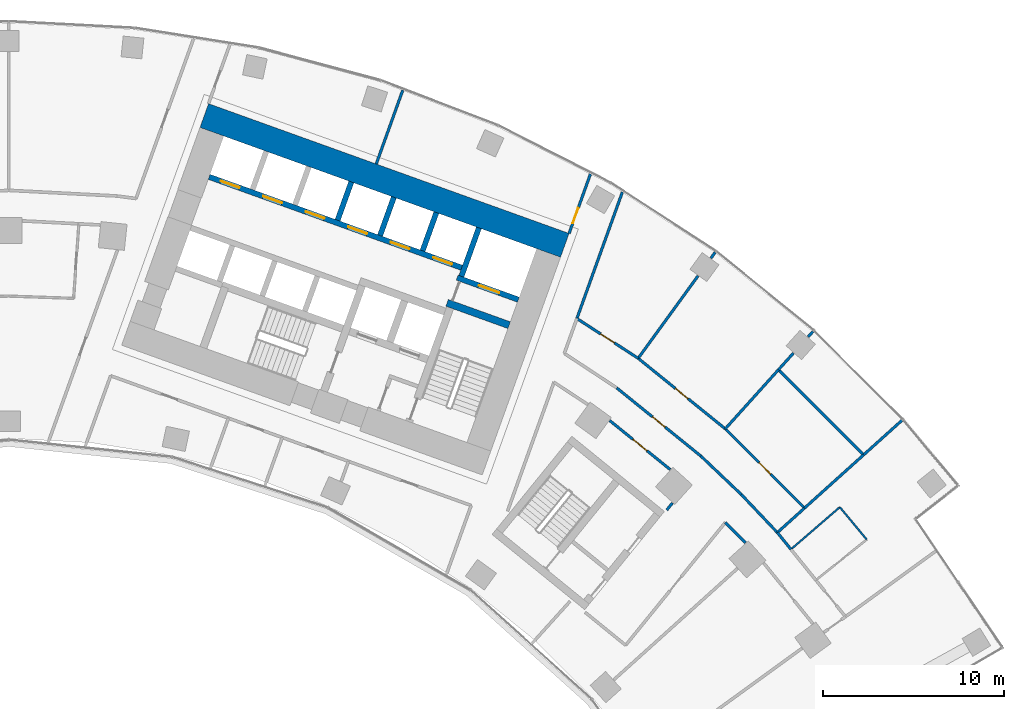
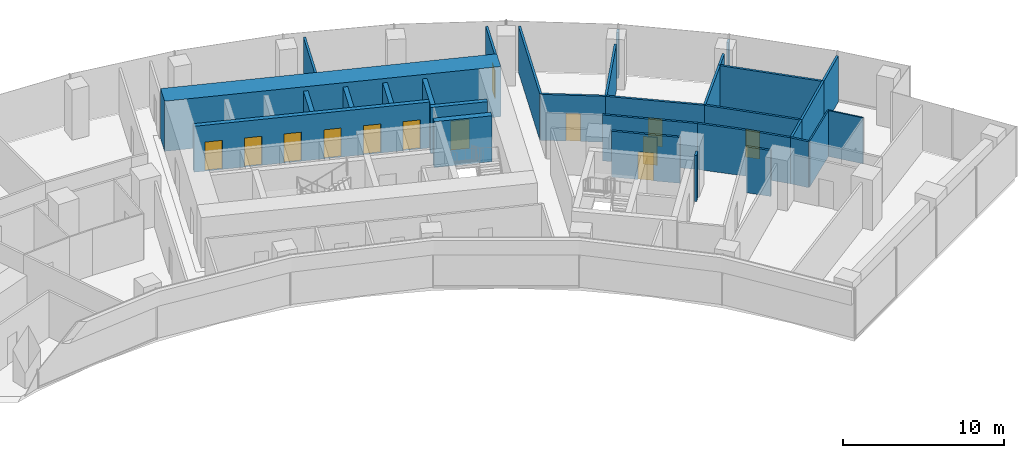
# One storey, part 17 of 20: 32 walls, 13 doors, 13 openings.
"""IFC4 building model written with IfcOpenShell, lengths in metres."""

from ifc_helpers import new_model, si_unit, direction, frame, frame_2d, origin, place, context, subcontext, project, spatial, rectangle, extrude, material, layer, layer_set, type_object, element, fill, save


model = new_model("IFC4")

# Units and contexts
model_context = context("Model", 3, precision=1e-05, world=origin(), true_north=direction((0.0, 1.0)))
body_context = subcontext(model_context, "Body", "Model", "MODEL_VIEW")
ifc_project = project(units=[si_unit("LENGTHUNIT", "METRE"), si_unit("AREAUNIT", "SQUARE_METRE"), si_unit("VOLUMEUNIT", "CUBIC_METRE"), si_unit("PLANEANGLEUNIT", "RADIAN"), si_unit("MASSUNIT", "GRAM", prefix="KILO")], contexts=[model_context])

# Site, building, storey
site_placement = place(None, origin())
site = spatial("IfcSite", under=ifc_project, at=site_placement, CompositionType="ELEMENT")
building_placement = place(site_placement, origin())
building = spatial("IfcBuilding", under=site, at=building_placement, Name="Stone Belt Terrace Tower", CompositionType="ELEMENT")
storey_placement = place(building_placement, frame((0.0, 0.0, 125.0)))
storey = spatial("IfcBuildingStorey", under=building, at=storey_placement, Name="L30", CompositionType="ELEMENT", Elevation=125.0)

# Wall
ifc_material_1 = material(Name="Concrete B80", Category="concrete")
ifc_layer_1 = layer(ifc_material_1, 1.39990234375)
ifc_layer_set_1 = layer_set([ifc_layer_1], Name="Core wall 1400 B80")
wall_type_1 = type_object("IfcWallType", Name="Core wall 1400 B80", PredefinedType="SHEAR", material=ifc_layer_set_1)
wall_1_placement = place(storey_placement, frame((10.81787109375, 61.362060546875, 0.0), z_axis=(0.0, 0.0, 1.0), x_axis=(0.940919704758, -0.338629752382, 0.0)))
element("IfcWall", 1, at=wall_1_placement, inside=storey, type_object=wall_type_1, Name="Core B wall convex L30", PredefinedType="SHEAR", context=body_context, shape_type="SweptSolid", body=[
    extrude(rectangle(XDim=21.199951171875, YDim=1.39990234375, at=frame_2d((10.60009765625, 0.0))), origin(), (0.0, 0.0, 1.0), 3.800048828125),
])

# Wall, opening, door
ifc_layer_2 = layer(ifc_material_1, 0.300048828125)
ifc_layer_set_2 = layer_set([ifc_layer_2], Name="Lift shaft wall 300")
wall_type_2 = type_object("IfcWallType", Name="Lift shaft wall 300", PredefinedType="SHEAR", material=ifc_layer_set_2)
wall_2_placement = place(storey_placement, frame((28.195068359375, 51.17578125, 0.0), z_axis=(0.0, 0.0, 1.0), x_axis=(-0.940901243567, 0.338681044427, 0.0)))
wall_2 = element("IfcWall", 2, at=wall_2_placement, inside=storey, type_object=wall_type_2, Name="Core B wall", PredefinedType="SHEAR", context=body_context, shape_type="SweptSolid", body=[
    extrude(rectangle(XDim=3.599853515625, YDim=0.300048828125, at=frame_2d((1.7998046875, 0.0))), origin(), (0.0, 0.0, 1.0), 3.47998046875),
])
opening_1_placement = place(wall_2_placement, frame((1.1201171875, 0.0, 0.0)))
opening_1 = element("IfcOpeningElement", 3, at=opening_1_placement, cuts=wall_2, Name="Opening L30-LD18", PredefinedType="OPENING", context=body_context, shape_type="SweptSolid", body=[
    extrude(rectangle(XDim=1.199951171875, YDim=2.199951171875, at=frame_2d((0.60009765625, 1.10009765625))), frame((0.0, 0.159912109375, 0.0), z_axis=(0.0, -1.0, 0.0), x_axis=(1.0, 0.0, 0.0)), (0.0, 0.0, 1.0), 0.320068359375),
])
ifc_material_2 = material(Name="Stainless steel door leaf", Category="steel")
door_type_1 = type_object("IfcDoorType", Name="Landing door 1200", OperationType="SLIDING_TO_LEFT", PredefinedType="DOOR", material=ifc_material_2)
door_1_placement = place(opening_1_placement, origin())
door_1 = element("IfcDoor", 4, at=door_1_placement, inside=storey, type_object=door_type_1, Name="Landing door SV1 core B", OperationType="SLIDING_TO_LEFT", OverallHeight=2.199951171875, OverallWidth=1.199951171875, PredefinedType="DOOR", context=body_context, shape_type="SweptSolid", body=[
    extrude(rectangle(XDim=1.199951171875, YDim=2.199951171875, at=frame_2d((0.60009765625, 1.10009765625))), frame((0.0, 0.02490234375, 0.0), z_axis=(0.0, -1.0, 0.0), x_axis=(1.0, 0.0, 0.0)), (0.0, 0.0, 1.0), 0.050048828125),
])
fill(opening_1, door_1)

# Wall
wall_3_placement = place(storey_placement, frame((25.046875, 52.46826171875, 0.0), z_axis=(0.0, 0.0, 1.0), x_axis=(0.338549588058, 0.940948551423, 0.0)))
element("IfcWall", 5, at=wall_3_placement, inside=storey, type_object=wall_type_2, Name="Core B wall", PredefinedType="SHEAR", context=body_context, shape_type="SweptSolid", body=[
    extrude(rectangle(XDim=2.849853515625, YDim=0.300048828125, at=frame_2d((1.4248046875, 0.0))), origin(), (0.0, 0.0, 1.0), 3.47998046875),
])

# Wall, openings, doors
wall_4_placement = place(storey_placement, frame((25.05810546875, 52.9423828125, 0.0), z_axis=(0.0, 0.0, 1.0), x_axis=(-0.940918215764, 0.338633889685, 0.0)))
wall_4 = element("IfcWall", 6, at=wall_4_placement, inside=storey, type_object=wall_type_2, Name="Core B wall", PredefinedType="SHEAR", context=body_context, shape_type="SweptSolid", body=[
    extrude(rectangle(XDim=14.850341796875, YDim=0.300048828125, at=frame_2d((7.42529296875, 0.0))), origin(), (0.0, 0.0, 1.0), 3.47998046875),
])
opening_2_placement = place(wall_4_placement, frame((0.570068359375, 0.0, 0.0)))
opening_2 = element("IfcOpeningElement", 7, at=opening_2_placement, cuts=wall_4, Name="Opening L30-LD10", PredefinedType="OPENING", context=body_context, shape_type="SweptSolid", body=[
    extrude(rectangle(XDim=1.10009765625, YDim=2.199951171875, at=frame_2d((0.550048828125, 1.10009765625))), frame((0.0, 0.159912109375, 0.0), z_axis=(0.0, -1.0, 0.0), x_axis=(1.0, 0.0, 0.0)), (0.0, 0.0, 1.0), 0.320068359375),
])
opening_3_placement = place(wall_4_placement, frame((3.070068359375, 0.0, 0.0)))
opening_3 = element("IfcOpeningElement", 8, at=opening_3_placement, cuts=wall_4, Name="Opening L30-LD11", PredefinedType="OPENING", context=body_context, shape_type="SweptSolid", body=[
    extrude(rectangle(XDim=1.10009765625, YDim=2.199951171875, at=frame_2d((0.550048828125, 1.10009765625))), frame((0.0, 0.159912109375, 0.0), z_axis=(0.0, -1.0, 0.0), x_axis=(1.0, 0.0, 0.0)), (0.0, 0.0, 1.0), 0.320068359375),
])
opening_4_placement = place(wall_4_placement, frame((5.570068359375, 0.0, 0.0)))
opening_4 = element("IfcOpeningElement", 9, at=opening_4_placement, cuts=wall_4, Name="Opening L30-LD12", PredefinedType="OPENING", context=body_context, shape_type="SweptSolid", body=[
    extrude(rectangle(XDim=1.10009765625, YDim=2.199951171875, at=frame_2d((0.550048828125, 1.10009765625))), frame((0.0, 0.159912109375, 0.0), z_axis=(0.0, -1.0, 0.0), x_axis=(1.0, 0.0, 0.0)), (0.0, 0.0, 1.0), 0.320068359375),
])
opening_5_placement = place(wall_4_placement, frame((8.070068359375, 0.0, 0.0)))
opening_5 = element("IfcOpeningElement", 10, at=opening_5_placement, cuts=wall_4, Name="Opening L30-LD13", PredefinedType="OPENING", context=body_context, shape_type="SweptSolid", body=[
    extrude(rectangle(XDim=1.10009765625, YDim=2.199951171875, at=frame_2d((0.550048828125, 1.10009765625))), frame((0.0, 0.159912109375, 0.0), z_axis=(0.0, -1.0, 0.0), x_axis=(1.0, 0.0, 0.0)), (0.0, 0.0, 1.0), 0.320068359375),
])
opening_6_placement = place(wall_4_placement, frame((10.570068359375, 0.0, 0.0)))
opening_6 = element("IfcOpeningElement", 11, at=opening_6_placement, cuts=wall_4, Name="Opening L30-LD14", PredefinedType="OPENING", context=body_context, shape_type="SweptSolid", body=[
    extrude(rectangle(XDim=1.10009765625, YDim=2.199951171875, at=frame_2d((0.550048828125, 1.10009765625))), frame((0.0, 0.159912109375, 0.0), z_axis=(0.0, -1.0, 0.0), x_axis=(1.0, 0.0, 0.0)), (0.0, 0.0, 1.0), 0.320068359375),
])
opening_7_placement = place(wall_4_placement, frame((13.070068359375, 0.0, 0.0)))
opening_7 = element("IfcOpeningElement", 12, at=opening_7_placement, cuts=wall_4, Name="Opening L30-LD15", PredefinedType="OPENING", context=body_context, shape_type="SweptSolid", body=[
    extrude(rectangle(XDim=1.10009765625, YDim=2.199951171875, at=frame_2d((0.550048828125, 1.10009765625))), frame((0.0, 0.159912109375, 0.0), z_axis=(0.0, -1.0, 0.0), x_axis=(1.0, 0.0, 0.0)), (0.0, 0.0, 1.0), 0.320068359375),
])
door_type_2 = type_object("IfcDoorType", Name="Landing door 1100", OperationType="SLIDING_TO_LEFT", PredefinedType="DOOR", material=ifc_material_2)
door_2_placement = place(opening_2_placement, origin())
door_2 = element("IfcDoor", 13, at=door_2_placement, inside=storey, type_object=door_type_2, Name="Landing door LR1 core B", OperationType="SLIDING_TO_LEFT", OverallHeight=2.199951171875, OverallWidth=1.10009765625, PredefinedType="DOOR", context=body_context, shape_type="SweptSolid", body=[
    extrude(rectangle(XDim=1.10009765625, YDim=2.199951171875, at=frame_2d((0.550048828125, 1.10009765625))), frame((0.0, 0.02490234375, 0.0), z_axis=(0.0, -1.0, 0.0), x_axis=(1.0, 0.0, 0.0)), (0.0, 0.0, 1.0), 0.050048828125),
])
fill(opening_2, door_2)
door_3_placement = place(opening_3_placement, origin())
door_3 = element("IfcDoor", 14, at=door_3_placement, inside=storey, type_object=door_type_2, Name="Landing door LR2 core B", OperationType="SLIDING_TO_LEFT", OverallHeight=2.199951171875, OverallWidth=1.10009765625, PredefinedType="DOOR", context=body_context, shape_type="SweptSolid", body=[
    extrude(rectangle(XDim=1.10009765625, YDim=2.199951171875, at=frame_2d((0.550048828125, 1.10009765625))), frame((0.0, 0.02490234375, 0.0), z_axis=(0.0, -1.0, 0.0), x_axis=(1.0, 0.0, 0.0)), (0.0, 0.0, 1.0), 0.050048828125),
])
fill(opening_3, door_3)
door_4_placement = place(opening_4_placement, origin())
door_4 = element("IfcDoor", 15, at=door_4_placement, inside=storey, type_object=door_type_2, Name="Landing door LR3 core B", OperationType="SLIDING_TO_LEFT", OverallHeight=2.199951171875, OverallWidth=1.10009765625, PredefinedType="DOOR", context=body_context, shape_type="SweptSolid", body=[
    extrude(rectangle(XDim=1.10009765625, YDim=2.199951171875, at=frame_2d((0.550048828125, 1.10009765625))), frame((0.0, 0.02490234375, 0.0), z_axis=(0.0, -1.0, 0.0), x_axis=(1.0, 0.0, 0.0)), (0.0, 0.0, 1.0), 0.050048828125),
])
fill(opening_4, door_4)
door_5_placement = place(opening_5_placement, origin())
door_5 = element("IfcDoor", 16, at=door_5_placement, inside=storey, type_object=door_type_2, Name="Landing door LR4 core B", OperationType="SLIDING_TO_LEFT", OverallHeight=2.199951171875, OverallWidth=1.10009765625, PredefinedType="DOOR", context=body_context, shape_type="SweptSolid", body=[
    extrude(rectangle(XDim=1.10009765625, YDim=2.199951171875, at=frame_2d((0.550048828125, 1.10009765625))), frame((0.0, 0.02490234375, 0.0), z_axis=(0.0, -1.0, 0.0), x_axis=(1.0, 0.0, 0.0)), (0.0, 0.0, 1.0), 0.050048828125),
])
fill(opening_5, door_5)
door_6_placement = place(opening_6_placement, origin())
door_6 = element("IfcDoor", 17, at=door_6_placement, inside=storey, type_object=door_type_2, Name="Landing door LR5 core B", OperationType="SLIDING_TO_LEFT", OverallHeight=2.199951171875, OverallWidth=1.10009765625, PredefinedType="DOOR", context=body_context, shape_type="SweptSolid", body=[
    extrude(rectangle(XDim=1.10009765625, YDim=2.199951171875, at=frame_2d((0.550048828125, 1.10009765625))), frame((0.0, 0.02490234375, 0.0), z_axis=(0.0, -1.0, 0.0), x_axis=(1.0, 0.0, 0.0)), (0.0, 0.0, 1.0), 0.050048828125),
])
fill(opening_6, door_6)
door_7_placement = place(opening_7_placement, origin())
door_7 = element("IfcDoor", 18, at=door_7_placement, inside=storey, type_object=door_type_2, Name="Landing door LR6 core B", OperationType="SLIDING_TO_LEFT", OverallHeight=2.199951171875, OverallWidth=1.10009765625, PredefinedType="DOOR", context=body_context, shape_type="SweptSolid", body=[
    extrude(rectangle(XDim=1.10009765625, YDim=2.199951171875, at=frame_2d((0.550048828125, 1.10009765625))), frame((0.0, 0.02490234375, 0.0), z_axis=(0.0, -1.0, 0.0), x_axis=(1.0, 0.0, 0.0)), (0.0, 0.0, 1.0), 0.050048828125),
])
fill(opening_7, door_7)

# Walls
wall_5_placement = place(storey_placement, frame((22.897705078125, 53.87939453125, 0.0), z_axis=(0.0, 0.0, 1.0), x_axis=(0.338535034312, 0.940953787677, 0.0)))
element("IfcWall", 19, at=wall_5_placement, inside=storey, type_object=wall_type_2, Name="Core B wall", PredefinedType="SHEAR", context=body_context, shape_type="SweptSolid", body=[
    extrude(rectangle(XDim=2.25, YDim=0.300048828125, at=frame_2d((1.125, 0.0))), origin(), (0.0, 0.0, 1.0), 3.47998046875),
])
wall_6_placement = place(storey_placement, frame((20.54541015625, 54.72607421875, 0.0), z_axis=(0.0, 0.0, 1.0), x_axis=(0.338569601369, 0.940941350472, 0.0)))
element("IfcWall", 20, at=wall_6_placement, inside=storey, type_object=wall_type_2, Name="Core B wall", PredefinedType="SHEAR", context=body_context, shape_type="SweptSolid", body=[
    extrude(rectangle(XDim=2.249755859375, YDim=0.300048828125, at=frame_2d((1.125, 0.0))), origin(), (0.0, 0.0, 1.0), 3.47998046875),
])
wall_7_placement = place(storey_placement, frame((18.193115234375, 55.572509765625, 0.0), z_axis=(0.0, 0.0, 1.0), x_axis=(0.338535034312, 0.940953787677, 0.0)))
element("IfcWall", 21, at=wall_7_placement, inside=storey, type_object=wall_type_2, Name="Core B wall", PredefinedType="SHEAR", context=body_context, shape_type="SweptSolid", body=[
    extrude(rectangle(XDim=2.25, YDim=0.300048828125, at=frame_2d((1.125, 0.0))), origin(), (0.0, 0.0, 1.0), 3.47998046875),
])
ifc_material_3 = material(Name="Gypsum board partition")
ifc_layer_3 = layer(ifc_material_3, 0.10009765625)
ifc_layer_set_3 = layer_set([ifc_layer_3], Name="PARTITION 100")
wall_type_3 = type_object("IfcWallType", Name="PARTITION 100", PredefinedType="PARTITIONING", material=ifc_layer_set_3)
wall_8_placement = place(storey_placement, frame((47.469970703125, 37.904052734375, 0.0), z_axis=(0.0, 0.0, 1.0), x_axis=(-0.638843176943, 0.76933698421, 0.0)))
element("IfcWall", 22, at=wall_8_placement, inside=storey, type_object=wall_type_3, Name="L30/wall/i075", PredefinedType="PARTITIONING", context=body_context, shape_type="SweptSolid", body=[
    extrude(rectangle(XDim=2.329345703125, YDim=0.10009765625, at=frame_2d((1.16455078125, 0.0))), origin(), (0.0, 0.0, 1.0), 3.47998046875),
])
wall_9_placement = place(storey_placement, frame((45.98193359375, 39.696044921875, 0.0), z_axis=(0.0, 0.0, 1.0), x_axis=(-0.756984357141, -0.653432998128, 0.0)))
element("IfcWall", 23, at=wall_9_placement, inside=storey, type_object=wall_type_3, Name="L30/wall/i076", PredefinedType="PARTITIONING", context=body_context, shape_type="SweptSolid", body=[
    extrude(rectangle(XDim=3.57177734375, YDim=0.10009765625, at=frame_2d((1.785888671875, 0.0))), origin(), (0.0, 0.0, 1.0), 3.47998046875),
])

# Wall, opening, door
ifc_layer_4 = layer(ifc_material_3, 0.14990234375)
ifc_layer_set_4 = layer_set([ifc_layer_4], Name="PARTITION 150 EI 60")
wall_type_4 = type_object("IfcWallType", Name="PARTITION 150 EI 60", PredefinedType="PARTITIONING", material=ifc_layer_set_4)
wall_10_placement = place(storey_placement, frame((31.001953125, 54.842041015625, 0.0), z_axis=(0.0, 0.0, 1.0), x_axis=(0.338662585219, 0.940907887826, 0.0)))
wall_10 = element("IfcWall", 24, at=wall_10_placement, inside=storey, type_object=wall_type_4, Name="L30/wall/i023", PredefinedType="PARTITIONING", context=body_context, shape_type="SweptSolid", body=[
    extrude(rectangle(XDim=3.49560546875, YDim=0.14990234375, at=frame_2d((1.747802734375, 0.0))), origin(), (0.0, 0.0, 1.0), 3.47998046875),
])
opening_8_placement = place(wall_10_placement, frame((0.599365234375, 0.0, 0.0)))
opening_8 = element("IfcOpeningElement", 25, at=opening_8_placement, cuts=wall_10, Name="Opening D-B5-11", PredefinedType="OPENING", context=body_context, shape_type="SweptSolid", body=[
    extrude(rectangle(XDim=0.89990234375, YDim=2.10009765625, at=frame_2d((0.449951171875, 1.050048828125))), frame((0.0, 0.0849609375, 0.0), z_axis=(0.0, -1.0, 0.0), x_axis=(1.0, 0.0, 0.0)), (0.0, 0.0, 1.0), 0.169921875),
])
ifc_material_4 = material(Name="Timber door leaf", Category="wood")
door_type_3 = type_object("IfcDoorType", Name="OFFICE DOOR 900 X 2100", OperationType="NOTDEFINED", PredefinedType="DOOR", material=ifc_material_4)
door_8_placement = place(opening_8_placement, origin())
door_8 = element("IfcDoor", 26, at=door_8_placement, inside=storey, type_object=door_type_3, Name="L30/door/i11", OperationType="SINGLE_SWING_LEFT", OverallHeight=2.10009765625, OverallWidth=0.89990234375, PredefinedType="DOOR", context=body_context, shape_type="SweptSolid", body=[
    extrude(rectangle(XDim=0.89990234375, YDim=2.10009765625, at=frame_2d((0.449951171875, 1.050048828125))), frame((0.0, 0.02490234375, 0.0), z_axis=(0.0, -1.0, 0.0), x_axis=(1.0, 0.0, 0.0)), (0.0, 0.0, 1.0), 0.050048828125),
])
fill(opening_8, door_8)

# Walls
wall_11_placement = place(storey_placement, frame((33.951904296875, 57.131103515625, 0.0), z_axis=(0.0, 0.0, 1.0), x_axis=(-0.338585885873, -0.940935490822, 0.0)))
element("IfcWall", 27, at=wall_11_placement, inside=storey, type_object=wall_type_4, Name="L30/wall/i027", PredefinedType="PARTITIONING", context=body_context, shape_type="SweptSolid", body=[
    extrude(rectangle(XDim=7.44287109375, YDim=0.14990234375, at=frame_2d((3.721435546875, 0.0))), origin(), (0.0, 0.0, 1.0), 3.47998046875),
])
wall_12_placement = place(storey_placement, frame((21.80078125, 62.76513671875, 0.0), z_axis=(0.0, 0.0, 1.0), x_axis=(-0.338470422653, -0.940977031063, 0.0)))
element("IfcWall", 28, at=wall_12_placement, inside=storey, type_object=wall_type_4, Name="L30/wall/i035", PredefinedType="PARTITIONING", context=body_context, shape_type="SweptSolid", body=[
    extrude(rectangle(XDim=4.33935546875, YDim=0.14990234375, at=frame_2d((2.169677734375, 0.0))), origin(), (0.0, 0.0, 1.0), 3.47998046875),
])

# Wall, opening, door
wall_13_placement = place(storey_placement, frame((36.599365234375, 41.77587890625, 0.0), z_axis=(0.0, 0.0, 1.0), x_axis=(-0.777153738144, 0.62931078752, 0.0)))
wall_13 = element("IfcWall", 29, at=wall_13_placement, inside=storey, type_object=wall_type_4, Name="L30/wall/i047", PredefinedType="PARTITIONING", context=body_context, shape_type="SweptSolid", body=[
    extrude(rectangle(XDim=4.30517578125, YDim=0.14990234375, at=frame_2d((2.152587890625, 0.0))), origin(), (0.0, 0.0, 1.0), 3.47998046875),
])
opening_9_placement = place(wall_13_placement, frame((1.652587890625, 0.0, 0.0)))
opening_9 = element("IfcOpeningElement", 30, at=opening_9_placement, cuts=wall_13, Name="Opening D-B5-17", PredefinedType="OPENING", context=body_context, shape_type="SweptSolid", body=[
    extrude(rectangle(XDim=1.0, YDim=2.10009765625, at=frame_2d((0.5, 1.050048828125))), frame((0.0, 0.0849609375, 0.0), z_axis=(0.0, -1.0, 0.0), x_axis=(1.0, 0.0, 0.0)), (0.0, 0.0, 1.0), 0.169921875),
])
ifc_material_5 = material(Name="Timber fire door leaf", Category="wood")
door_type_4 = type_object("IfcDoorType", Name="TENANCY ENTRANCE DOOR 1000 X 2100", OperationType="NOTDEFINED", PredefinedType="DOOR", material=ifc_material_5)
door_9_placement = place(opening_9_placement, origin())
door_9 = element("IfcDoor", 31, at=door_9_placement, inside=storey, type_object=door_type_4, Name="L30/door/i17", OperationType="SINGLE_SWING_RIGHT", OverallHeight=2.10009765625, OverallWidth=1.0, PredefinedType="DOOR", context=body_context, shape_type="SweptSolid", body=[
    extrude(rectangle(XDim=1.0, YDim=2.10009765625, at=frame_2d((0.5, 1.050048828125))), frame((0.0, 0.02490234375, 0.0), z_axis=(0.0, -1.0, 0.0), x_axis=(1.0, 0.0, 0.0)), (0.0, 0.0, 1.0), 0.050048828125),
])
fill(opening_9, door_9)

wall_14_placement = place(storey_placement, frame((33.635986328125, 46.2958984375, 0.0), z_axis=(0.0, 0.0, 1.0), x_axis=(0.777109127033, -0.629365875054, 0.0)))
wall_14 = element("IfcWall", 32, at=wall_14_placement, inside=storey, type_object=wall_type_4, Name="L30/wall/i050", PredefinedType="PARTITIONING", context=body_context, shape_type="SweptSolid", body=[
    extrude(rectangle(XDim=5.990234375, YDim=0.14990234375, at=frame_2d((2.9951171875, 0.0))), origin(), (0.0, 0.0, 1.0), 3.47998046875),
])
opening_10_placement = place(wall_14_placement, frame((2.545166015625, 0.0, 0.0)))
opening_10 = element("IfcOpeningElement", 33, at=opening_10_placement, cuts=wall_14, Name="Opening D-B5-20", PredefinedType="OPENING", context=body_context, shape_type="SweptSolid", body=[
    extrude(rectangle(XDim=0.89990234375, YDim=2.10009765625, at=frame_2d((0.449951171875, 1.050048828125))), frame((0.0, 0.0849609375, 0.0), z_axis=(0.0, -1.0, 0.0), x_axis=(1.0, 0.0, 0.0)), (0.0, 0.0, 1.0), 0.169921875),
])
door_10_placement = place(opening_10_placement, origin())
door_10 = element("IfcDoor", 34, at=door_10_placement, inside=storey, type_object=door_type_3, Name="L30/door/i20", OperationType="SINGLE_SWING_RIGHT", OverallHeight=2.10009765625, OverallWidth=0.89990234375, PredefinedType="DOOR", context=body_context, shape_type="SweptSolid", body=[
    extrude(rectangle(XDim=0.89990234375, YDim=2.10009765625, at=frame_2d((0.449951171875, 1.050048828125))), frame((0.0, 0.02490234375, 0.0), z_axis=(0.0, -1.0, 0.0), x_axis=(1.0, 0.0, 0.0)), (0.0, 0.0, 1.0), 0.050048828125),
])
fill(opening_10, door_10)

# Walls
wall_15_placement = place(storey_placement, frame((38.291015625, 42.52587890625, 0.0), z_axis=(0.0, 0.0, 1.0), x_axis=(0.724835843729, -0.688921620829, 0.0)))
element("IfcWall", 35, at=wall_15_placement, inside=storey, type_object=wall_type_4, Name="L30/wall/i051", PredefinedType="PARTITIONING", context=body_context, shape_type="SweptSolid", body=[
    extrude(rectangle(XDim=3.093017578125, YDim=0.14990234375, at=frame_2d((1.54638671875, 0.0))), origin(), (0.0, 0.0, 1.0), 3.47998046875),
])
wall_16_placement = place(storey_placement, frame((40.765625, 37.721435546875, 0.0), z_axis=(0.0, 0.0, 1.0), x_axis=(-0.707106781187, 0.707106781187, 0.0)))
element("IfcWall", 36, at=wall_16_placement, inside=storey, type_object=wall_type_4, Name="L30/wall/i052", PredefinedType="PARTITIONING", context=body_context, shape_type="SweptSolid", body=[
    extrude(rectangle(XDim=1.587646484375, YDim=0.14990234375, at=frame_2d((0.7939453125, 0.0))), origin(), (0.0, 0.0, 1.0), 3.47998046875),
])
wall_17_placement = place(storey_placement, frame((40.532958984375, 40.39501953125, 0.0), z_axis=(0.0, 0.0, 1.0), x_axis=(0.687681554755, -0.726012451167, 0.0)))
element("IfcWall", 37, at=wall_17_placement, inside=storey, type_object=wall_type_4, Name="L30/wall/i054", PredefinedType="PARTITIONING", context=body_context, shape_type="SweptSolid", body=[
    extrude(rectangle(XDim=2.89794921875, YDim=0.14990234375, at=frame_2d((1.448974609375, 0.0))), origin(), (0.0, 0.0, 1.0), 3.47998046875),
])
wall_18_placement = place(storey_placement, frame((42.527099609375, 38.2900390625, 0.0), z_axis=(0.0, 0.0, 1.0), x_axis=(0.628952429946, -0.777443786305, 0.0)))
element("IfcWall", 38, at=wall_18_placement, inside=storey, type_object=wall_type_4, Name="L30/wall/i055", PredefinedType="PARTITIONING", context=body_context, shape_type="SweptSolid", body=[
    extrude(rectangle(XDim=1.2001953125, YDim=0.14990234375, at=frame_2d((0.60009765625, 0.0))), origin(), (0.0, 0.0, 1.0), 3.47998046875),
])
wall_19_placement = place(storey_placement, frame((36.406005859375, 39.537109375, 0.0), z_axis=(0.0, 0.0, 1.0), x_axis=(0.630355285391, 0.776306778393, 0.0)))
element("IfcWall", 39, at=wall_19_placement, inside=storey, type_object=wall_type_4, Name="L30/wall/i058", PredefinedType="PARTITIONING", context=body_context, shape_type="SweptSolid", body=[
    extrude(rectangle(XDim=0.50341796875, YDim=0.14990234375, at=frame_2d((0.251708984375, 0.0))), origin(), (0.0, 0.0, 1.0), 3.47998046875),
])

# Wall, opening, door
wall_20_placement = place(storey_placement, frame((31.43408203125, 50.134033203125, 0.0), z_axis=(0.0, 0.0, 1.0), x_axis=(0.838660143757, -0.544655086521, 0.0)))
wall_20 = element("IfcWall", 40, at=wall_20_placement, inside=storey, type_object=wall_type_4, Name="L30/wall/i062", PredefinedType="PARTITIONING", context=body_context, shape_type="SweptSolid", body=[
    extrude(rectangle(XDim=4.043212890625, YDim=0.14990234375, at=frame_2d((2.021484375, 0.0))), origin(), (0.0, 0.0, 1.0), 3.47998046875),
])
opening_11_placement = place(wall_20_placement, frame((1.571533203125, 0.0, 0.0)))
opening_11 = element("IfcOpeningElement", 41, at=opening_11_placement, cuts=wall_20, Name="Opening D-B5-21", PredefinedType="OPENING", context=body_context, shape_type="SweptSolid", body=[
    extrude(rectangle(XDim=0.89990234375, YDim=2.10009765625, at=frame_2d((0.449951171875, 1.050048828125))), frame((0.0, 0.0849609375, 0.0), z_axis=(0.0, -1.0, 0.0), x_axis=(1.0, 0.0, 0.0)), (0.0, 0.0, 1.0), 0.169921875),
])
door_11_placement = place(opening_11_placement, origin())
door_11 = element("IfcDoor", 42, at=door_11_placement, inside=storey, type_object=door_type_3, Name="L30/door/i21", OperationType="SINGLE_SWING_RIGHT", OverallHeight=2.10009765625, OverallWidth=0.89990234375, PredefinedType="DOOR", context=body_context, shape_type="SweptSolid", body=[
    extrude(rectangle(XDim=0.89990234375, YDim=2.10009765625, at=frame_2d((0.449951171875, 1.050048828125))), frame((0.0, 0.02490234375, 0.0), z_axis=(0.0, -1.0, 0.0), x_axis=(1.0, 0.0, 0.0)), (0.0, 0.0, 1.0), 0.050048828125),
])
fill(opening_11, door_11)

wall_21_placement = place(storey_placement, frame((34.824951171875, 47.931884765625, 0.0), z_axis=(0.0, 0.0, 1.0), x_axis=(0.777190769916, -0.629265053184, 0.0)))
wall_21 = element("IfcWall", 43, at=wall_21_placement, inside=storey, type_object=wall_type_4, Name="L30/wall/i063", PredefinedType="PARTITIONING", context=body_context, shape_type="SweptSolid", body=[
    extrude(rectangle(XDim=6.20068359375, YDim=0.14990234375, at=frame_2d((3.100341796875, 0.0))), origin(), (0.0, 0.0, 1.0), 3.47998046875),
])
opening_12_placement = place(wall_21_placement, frame((2.650390625, 0.0, 0.0)))
opening_12 = element("IfcOpeningElement", 44, at=opening_12_placement, cuts=wall_21, Name="Opening D-B5-22", PredefinedType="OPENING", context=body_context, shape_type="SweptSolid", body=[
    extrude(rectangle(XDim=0.89990234375, YDim=2.10009765625, at=frame_2d((0.449951171875, 1.050048828125))), frame((0.0, 0.0849609375, 0.0), z_axis=(0.0, -1.0, 0.0), x_axis=(1.0, 0.0, 0.0)), (0.0, 0.0, 1.0), 0.169921875),
])
door_12_placement = place(opening_12_placement, origin())
door_12 = element("IfcDoor", 45, at=door_12_placement, inside=storey, type_object=door_type_3, Name="L30/door/i22", OperationType="SINGLE_SWING_RIGHT", OverallHeight=2.10009765625, OverallWidth=0.89990234375, PredefinedType="DOOR", context=body_context, shape_type="SweptSolid", body=[
    extrude(rectangle(XDim=0.89990234375, YDim=2.10009765625, at=frame_2d((0.449951171875, 1.050048828125))), frame((0.0, 0.02490234375, 0.0), z_axis=(0.0, -1.0, 0.0), x_axis=(1.0, 0.0, 0.0)), (0.0, 0.0, 1.0), 0.050048828125),
])
fill(opening_12, door_12)

wall_22_placement = place(storey_placement, frame((39.639892578125, 44.033935546875, 0.0), z_axis=(0.0, 0.0, 1.0), x_axis=(0.707126447351, -0.707087114475, 0.0)))
wall_22 = element("IfcWall", 46, at=wall_22_placement, inside=storey, type_object=wall_type_4, Name="L30/wall/i064", PredefinedType="PARTITIONING", context=body_context, shape_type="SweptSolid", body=[
    extrude(rectangle(XDim=6.20703125, YDim=0.14990234375, at=frame_2d((3.103515625, 0.0))), origin(), (0.0, 0.0, 1.0), 3.47998046875),
])
opening_13_placement = place(wall_22_placement, frame((2.653564453125, 0.0, 0.0)))
opening_13 = element("IfcOpeningElement", 47, at=opening_13_placement, cuts=wall_22, Name="Opening D-B5-23", PredefinedType="OPENING", context=body_context, shape_type="SweptSolid", body=[
    extrude(rectangle(XDim=0.89990234375, YDim=2.10009765625, at=frame_2d((0.449951171875, 1.050048828125))), frame((0.0, 0.0849609375, 0.0), z_axis=(0.0, -1.0, 0.0), x_axis=(1.0, 0.0, 0.0)), (0.0, 0.0, 1.0), 0.169921875),
])
door_13_placement = place(opening_13_placement, origin())
door_13 = element("IfcDoor", 48, at=door_13_placement, inside=storey, type_object=door_type_3, Name="L30/door/i23", OperationType="SINGLE_SWING_RIGHT", OverallHeight=2.10009765625, OverallWidth=0.89990234375, PredefinedType="DOOR", context=body_context, shape_type="SweptSolid", body=[
    extrude(rectangle(XDim=0.89990234375, YDim=2.10009765625, at=frame_2d((0.449951171875, 1.050048828125))), frame((0.0, 0.02490234375, 0.0), z_axis=(0.0, -1.0, 0.0), x_axis=(1.0, 0.0, 0.0)), (0.0, 0.0, 1.0), 0.050048828125),
])
fill(opening_13, door_13)

# Walls
wall_23_placement = place(storey_placement, frame((44.029052734375, 39.64501953125, 0.0), z_axis=(0.0, 0.0, 1.0), x_axis=(-0.743012054614, -0.669278033927, 0.0)))
element("IfcWall", 49, at=wall_23_placement, inside=storey, type_object=wall_type_4, Name="L30/wall/i065", PredefinedType="PARTITIONING", context=body_context, shape_type="SweptSolid", body=[
    extrude(rectangle(XDim=2.023193359375, YDim=0.14990234375, at=frame_2d((1.01171875, 0.0))), origin(), (0.0, 0.0, 1.0), 3.47998046875),
])
wall_24_placement = place(storey_placement, frame((39.087890625, 53.7998046875, 0.0), z_axis=(0.0, 0.0, 1.0), x_axis=(-0.588207421816, -0.808710101904, 0.0)))
element("IfcWall", 50, at=wall_24_placement, inside=storey, type_object=wall_type_4, Name="L30/wall/i066", PredefinedType="PARTITIONING", context=body_context, shape_type="SweptSolid", body=[
    extrude(rectangle(XDim=0.40625, YDim=0.14990234375, at=frame_2d((0.203125, 0.0))), origin(), (0.0, 0.0, 1.0), 3.47998046875),
])
wall_25_placement = place(storey_placement, frame((38.1376953125, 52.4921875, 0.0), z_axis=(0.0, 0.0, 1.0), x_axis=(-0.587726060758, -0.809059996234, 0.0)))
element("IfcWall", 51, at=wall_25_placement, inside=storey, type_object=wall_type_4, Name="L30/wall/i067", PredefinedType="PARTITIONING", context=body_context, shape_type="SweptSolid", body=[
    extrude(rectangle(XDim=5.636474609375, YDim=0.14990234375, at=frame_2d((2.818359375, 0.0))), origin(), (0.0, 0.0, 1.0), 3.47998046875),
])
wall_26_placement = place(storey_placement, frame((42.592041015625, 47.303955078125, 0.0), z_axis=(0.0, 0.0, 1.0), x_axis=(-0.669148410698, -0.743128793992, 0.0)))
element("IfcWall", 52, at=wall_26_placement, inside=storey, type_object=wall_type_4, Name="L30/wall/i068", PredefinedType="PARTITIONING", context=body_context, shape_type="SweptSolid", body=[
    extrude(rectangle(XDim=4.405517578125, YDim=0.14990234375, at=frame_2d((2.20263671875, 0.0))), origin(), (0.0, 0.0, 1.0), 3.47998046875),
])
wall_27_placement = place(storey_placement, frame((44.496826171875, 49.419189453125, 0.0), z_axis=(0.0, 0.0, 1.0), x_axis=(-0.669463057056, -0.742845350821, 0.0)))
element("IfcWall", 53, at=wall_27_placement, inside=storey, type_object=wall_type_4, Name="L30/wall/i069", PredefinedType="PARTITIONING", context=body_context, shape_type="SweptSolid", body=[
    extrude(rectangle(XDim=0.406005859375, YDim=0.14990234375, at=frame_2d((0.203125, 0.0))), origin(), (0.0, 0.0, 1.0), 3.47998046875),
])
wall_28_placement = place(storey_placement, frame((43.415283203125, 48.218505859375, 0.0), z_axis=(0.0, 0.0, 1.0), x_axis=(-0.669388214241, -0.742912793426, 0.0)))
element("IfcWall", 54, at=wall_28_placement, inside=storey, type_object=wall_type_4, Name="L30/wall/i070", PredefinedType="PARTITIONING", context=body_context, shape_type="SweptSolid", body=[
    extrude(rectangle(XDim=1.241943359375, YDim=0.14990234375, at=frame_2d((0.62109375, 0.0))), origin(), (0.0, 0.0, 1.0), 3.47998046875),
])
wall_29_placement = place(storey_placement, frame((42.587890625, 47.300048828125, 0.0), z_axis=(0.0, 0.0, 1.0), x_axis=(0.7071251031, -0.707088458798, 0.0)))
element("IfcWall", 55, at=wall_29_placement, inside=storey, type_object=wall_type_4, Name="L30/wall/i071", PredefinedType="PARTITIONING", context=body_context, shape_type="SweptSolid", body=[
    extrude(rectangle(XDim=6.662353515625, YDim=0.14990234375, at=frame_2d((3.3310546875, 0.0))), origin(), (0.0, 0.0, 1.0), 3.47998046875),
])
wall_30_placement = place(storey_placement, frame((47.299072265625, 42.589111328125, 0.0), z_axis=(0.0, 0.0, 1.0), x_axis=(-0.743172740326, -0.669099602478, 0.0)))
element("IfcWall", 56, at=wall_30_placement, inside=storey, type_object=wall_type_4, Name="L30/wall/i072", PredefinedType="PARTITIONING", context=body_context, shape_type="SweptSolid", body=[
    extrude(rectangle(XDim=4.400146484375, YDim=0.14990234375, at=frame_2d((2.2001953125, 0.0))), origin(), (0.0, 0.0, 1.0), 3.47998046875),
])
wall_31_placement = place(storey_placement, frame((49.41943359375, 44.496826171875, 0.0), z_axis=(0.0, 0.0, 1.0), x_axis=(-0.743400540609, -0.668846496755, 0.0)))
element("IfcWall", 57, at=wall_31_placement, inside=storey, type_object=wall_type_4, Name="L30/wall/i073", PredefinedType="PARTITIONING", context=body_context, shape_type="SweptSolid", body=[
    extrude(rectangle(XDim=2.852294921875, YDim=0.14990234375, at=frame_2d((1.42626953125, 0.0))), origin(), (0.0, 0.0, 1.0), 3.47998046875),
])
ifc_layer_5 = layer(ifc_material_1, 0.39990234375)
ifc_layer_set_5 = layer_set([ifc_layer_5], Name="Stair enclosure wall 400")
wall_type_5 = type_object("IfcWallType", Name="Stair enclosure wall 400", PredefinedType="SHEAR", material=ifc_layer_set_5)
wall_32_placement = place(storey_placement, frame((27.687255859375, 49.764404296875, 0.0), z_axis=(0.0, 0.0, 1.0), x_axis=(-0.940918954884, 0.338631835981, 0.0)))
element("IfcWall", 58, at=wall_32_placement, inside=storey, type_object=wall_type_5, Name="Core B wall", PredefinedType="SHEAR", context=body_context, shape_type="SweptSolid", body=[
    extrude(rectangle(XDim=3.650146484375, YDim=0.39990234375, at=frame_2d((1.8251953125, 0.0))), origin(), (0.0, 0.0, 1.0), 3.47998046875),
])

save(model, "model.ifc")
